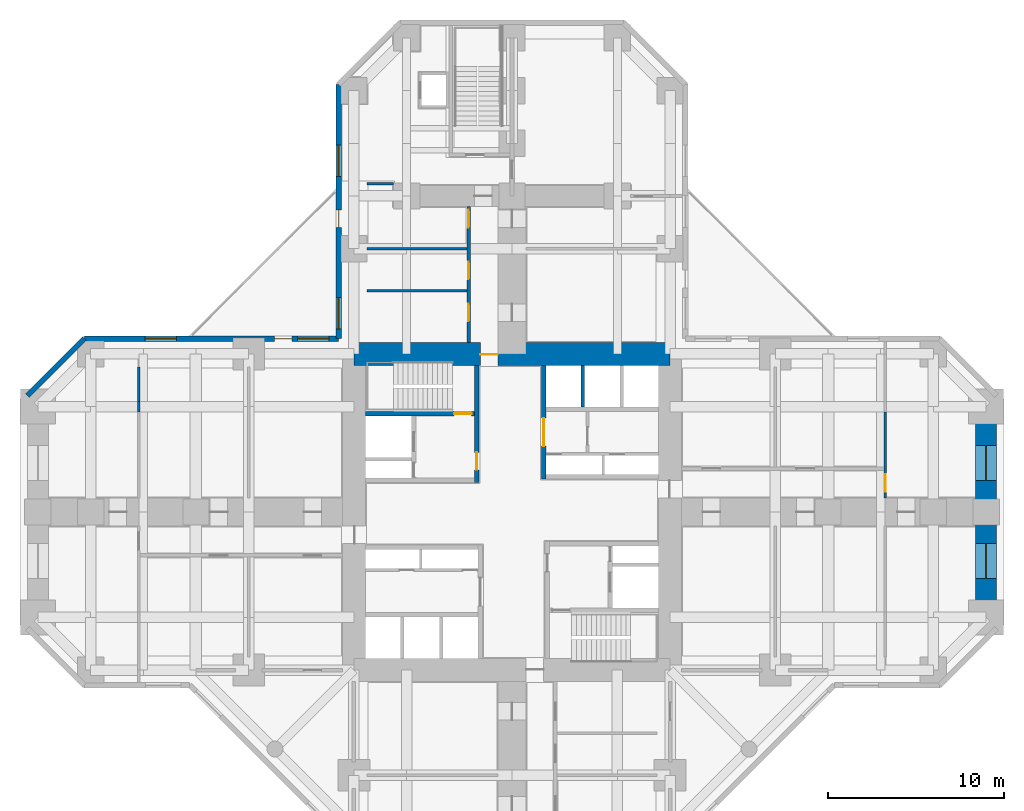
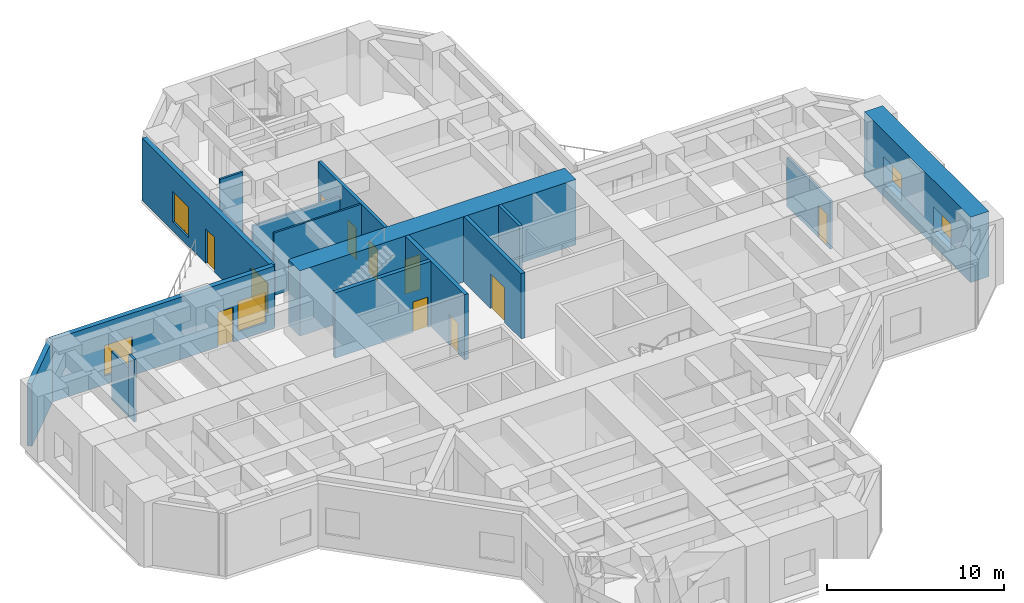
# One storey, part 6 of 10: 16 walls, 10 doors, 6 windows, 16 openings.
"""IFC4 building model written with IfcOpenShell, lengths in metres."""

from ifc_helpers import new_model, si_unit, direction, frame, frame_2d, origin, place, context, subcontext, project, spatial, rectangle, hollow_rectangle, extrude, material, layer, layer_set, constituent, constituent_set, type_object, element, fill, save


model = new_model("IFC4")

# Units and contexts
model_context = context("Model", 3, precision=1e-05, world=origin(), true_north=direction((0.0, 1.0)))
body_context = subcontext(model_context, "Body", "Model", "MODEL_VIEW")
ifc_project = project(units=[si_unit("LENGTHUNIT", "METRE"), si_unit("AREAUNIT", "SQUARE_METRE"), si_unit("VOLUMEUNIT", "CUBIC_METRE"), si_unit("PLANEANGLEUNIT", "RADIAN"), si_unit("MASSUNIT", "GRAM", prefix="KILO")], contexts=[model_context])

# Site, building, storey
site_placement = place(None, origin())
site = spatial("IfcSite", under=ifc_project, at=site_placement, CompositionType="ELEMENT")
building_placement = place(site_placement, origin())
building = spatial("IfcBuilding", under=site, at=building_placement, Name="Torre Cruceta", CompositionType="ELEMENT")
storey_placement = place(building_placement, frame((0.0, 0.0, 5.0)))
storey = spatial("IfcBuildingStorey", under=building, at=storey_placement, Name="L01", CompositionType="ELEMENT", Elevation=5.0)

# Wall, opening, door
ifc_material_1 = material(Name="Concrete G60 (fck 60 MPa)", Category="concrete")
ifc_layer_1 = layer(ifc_material_1, 0.25)
ifc_layer_set_1 = layer_set([ifc_layer_1], Name="Concrete G60 (fck 60 MPa)")
wall_type_1 = type_object("IfcWallType", Name="CORE INNER WALL 250 G60", PredefinedType="SHEAR", material=ifc_layer_set_1)
wall_1_placement = place(storey_placement, frame((1.800048828125, 1.875, 0.0), z_axis=(0.0, 0.0, 1.0), x_axis=(0.0, 1.0, 0.0)))
wall_1 = element("IfcWall", 1, at=wall_1_placement, inside=storey, type_object=wall_type_1, Name="CW4 L01 NE-CU", PredefinedType="SHEAR", context=body_context, shape_type="SweptSolid", body=[
    extrude(rectangle(XDim=6.47509765625, YDim=0.25, at=frame_2d((3.237548828125, 0.0))), origin(), (0.0, 0.0, 1.0), 4.5),
])
opening_1_placement = place(wall_1_placement, frame((1.875, 0.0, 0.0)))
opening_1 = element("IfcOpeningElement", 2, at=opening_1_placement, cuts=wall_1, Name="Opening D15", PredefinedType="OPENING", context=body_context, shape_type="SweptSolid", body=[
    extrude(rectangle(XDim=1.60009765625, YDim=2.39990234375, at=frame_2d((0.800048828125, 1.199951171875))), frame((0.0, 0.135009765625, 0.0), z_axis=(0.0, -1.0, 0.0), x_axis=(1.0, 0.0, 0.0)), (0.0, 0.0, 1.0), 0.27001953125),
])
ifc_material_2 = material(Name="Steel DX51D", Category="steel")
ifc_constituent_1 = constituent(ifc_material_2, Name="Leaf and frame")
ifc_material_3 = material(Name="Polyester powder coating", Category="paint")
ifc_constituent_2 = constituent(ifc_material_3, Name="Finish")
ifc_constituent_set_1 = constituent_set(constituents=[ifc_constituent_1, ifc_constituent_2], Name="Steel fire door")
door_type_1 = type_object("IfcDoorType", Name="CORE ROOM DOUBLE DOOR 1600X2400", OperationType="DOUBLE_DOOR_SINGLE_SWING", PredefinedType="DOOR", material=ifc_constituent_set_1)
door_1_placement = place(opening_1_placement, frame((1.60009765625, 0.0, 0.0), z_axis=(0.0, 0.0, 1.0), x_axis=(-1.0, 0.0, 0.0)))
door_1 = element("IfcDoor", 3, at=door_1_placement, inside=storey, type_object=door_type_1, Name="D15 L01 NE-LOBBY", OperationType="DOUBLE_DOOR_SINGLE_SWING", OverallHeight=2.39990234375, OverallWidth=1.60009765625, PredefinedType="DOOR", context=body_context, shape_type="SweptSolid", body=[
    extrude(rectangle(XDim=1.60009765625, YDim=2.39990234375, at=frame_2d((0.800048828125, 1.199951171875))), frame((0.0, 0.025146484375, 0.0), z_axis=(0.0, -1.0, 0.0), x_axis=(1.0, 0.0, 0.0)), (0.0, 0.0, 1.0), 0.050048828125),
])
fill(opening_1, door_1)

wall_2_placement = place(storey_placement, frame((-2.0, 1.675048828125, 0.0), z_axis=(0.0, 0.0, 1.0), x_axis=(0.0, 1.0, 0.0)))
wall_2 = element("IfcWall", 4, at=wall_2_placement, inside=storey, type_object=wall_type_1, Name="CW4 L01 NW-CU", PredefinedType="SHEAR", context=body_context, shape_type="SweptSolid", body=[
    extrude(rectangle(XDim=6.675048828125, YDim=0.25, at=frame_2d((3.33740234375, 0.0))), origin(), (0.0, 0.0, 1.0), 4.5),
])
opening_2_placement = place(wall_2_placement, frame((0.72509765625, 0.0, 0.0)))
opening_2 = element("IfcOpeningElement", 5, at=opening_2_placement, cuts=wall_2, Name="Opening D3", PredefinedType="OPENING", context=body_context, shape_type="SweptSolid", body=[
    extrude(rectangle(XDim=1.0, YDim=2.10009765625, at=frame_2d((0.5, 1.050048828125))), frame((0.0, 0.135009765625, 0.0), z_axis=(0.0, -1.0, 0.0), x_axis=(1.0, 0.0, 0.0)), (0.0, 0.0, 1.0), 0.27001953125),
])
ifc_material_4 = material(Name="Steel DX51D", Category="steel")
ifc_constituent_3 = constituent(ifc_material_4, Name="Leaf and frame")
ifc_material_5 = material(Name="Polyester powder coating", Category="paint")
ifc_constituent_4 = constituent(ifc_material_5, Name="Finish")
ifc_constituent_set_2 = constituent_set(constituents=[ifc_constituent_3, ifc_constituent_4], Name="Steel fire door")
door_type_2 = type_object("IfcDoorType", Name="FIRE DOOR 1000X2100", OperationType="SINGLE_SWING_LEFT", PredefinedType="DOOR", material=ifc_constituent_set_2)
door_2_placement = place(opening_2_placement, origin())
door_2 = element("IfcDoor", 6, at=door_2_placement, inside=storey, type_object=door_type_2, Name="D3 L01 NW-LOBBY", OperationType="SINGLE_SWING_LEFT", OverallHeight=2.10009765625, OverallWidth=1.0, PredefinedType="DOOR", context=body_context, shape_type="SweptSolid", body=[
    extrude(rectangle(XDim=1.0, YDim=2.10009765625, at=frame_2d((0.5, 1.050048828125))), frame((0.0, 0.02490234375, 0.0), z_axis=(0.0, -1.0, 0.0), x_axis=(1.0, 0.0, 0.0)), (0.0, 0.0, 1.0), 0.050048828125),
])
fill(opening_2, door_2)

wall_3_placement = place(storey_placement, frame((-2.125, 5.60009765625, 0.0), z_axis=(0.0, 0.0, 1.0), x_axis=(-1.0, 0.0, 0.0)))
wall_3 = element("IfcWall", 7, at=wall_3_placement, inside=storey, type_object=wall_type_1, Name="CW4 L01 NW-SV", PredefinedType="SHEAR", context=body_context, shape_type="SweptSolid", body=[
    extrude(rectangle(XDim=6.22509765625, YDim=0.25, at=frame_2d((3.112548828125, 0.0))), origin(), (0.0, 0.0, 1.0), 4.5),
])
opening_3_placement = place(wall_3_placement, frame((0.175048828125, 0.0, 0.0)))
opening_3 = element("IfcOpeningElement", 8, at=opening_3_placement, cuts=wall_3, Name="Opening D3", PredefinedType="OPENING", context=body_context, shape_type="SweptSolid", body=[
    extrude(rectangle(XDim=1.0, YDim=2.10009765625, at=frame_2d((0.5, 1.050048828125))), frame((0.0, 0.135009765625, 0.0), z_axis=(0.0, -1.0, 0.0), x_axis=(1.0, 0.0, 0.0)), (0.0, 0.0, 1.0), 0.27001953125),
])
door_3_placement = place(opening_3_placement, frame((1.0, 0.0, 0.0), z_axis=(0.0, 0.0, 1.0), x_axis=(-1.0, 0.0, 0.0)))
door_3 = element("IfcDoor", 9, at=door_3_placement, inside=storey, type_object=door_type_2, Name="D3 L01 NW-STAIR", OperationType="SINGLE_SWING_RIGHT", OverallHeight=2.10009765625, OverallWidth=1.0, PredefinedType="DOOR", context=body_context, shape_type="SweptSolid", body=[
    extrude(rectangle(XDim=1.0, YDim=2.10009765625, at=frame_2d((0.5, 1.050048828125))), frame((0.0, 0.025146484375, 0.0), z_axis=(0.0, -1.0, 0.0), x_axis=(1.0, 0.0, 0.0)), (0.0, 0.0, 1.0), 0.050048828125),
])
fill(opening_3, door_3)

ifc_material_6 = material(Name="Concrete G60 (fck 60 MPa)", Category="concrete")
ifc_layer_2 = layer(ifc_material_6, 1.300048828125)
ifc_layer_set_2 = layer_set([ifc_layer_2], Name="Concrete G60 (fck 60 MPa)")
wall_type_2 = type_object("IfcWallType", Name="CORE WALL 1300 G60", PredefinedType="SHEAR", material=ifc_layer_set_2)
wall_4_placement = place(storey_placement, frame((9.0, 9.0, 0.0), z_axis=(0.0, 0.0, 1.0), x_axis=(-1.0, 0.0, 0.0)))
wall_4 = element("IfcWall", 10, at=wall_4_placement, inside=storey, type_object=wall_type_2, Name="CW1 L01 CW-N", PredefinedType="SHEAR", context=body_context, shape_type="SweptSolid", body=[
    extrude(rectangle(XDim=18.0, YDim=1.300048828125, at=frame_2d((9.0, 0.0))), origin(), (0.0, 0.0, 1.0), 4.5),
])
opening_4_placement = place(wall_4_placement, frame((9.800048828125, 0.0, 0.0)))
opening_4 = element("IfcOpeningElement", 11, at=opening_4_placement, cuts=wall_4, Name="Opening D4", PredefinedType="OPENING", context=body_context, shape_type="SweptSolid", body=[
    extrude(rectangle(XDim=1.0, YDim=2.39990234375, at=frame_2d((0.5, 1.199951171875))), frame((0.0, 0.659912109375, 0.0), z_axis=(0.0, -1.0, 0.0), x_axis=(1.0, 0.0, 0.0)), (0.0, 0.0, 1.0), 1.320068359375),
])
ifc_material_7 = material(Name="Steel DX51D", Category="steel")
ifc_constituent_5 = constituent(ifc_material_7, Name="Leaf and frame")
ifc_material_8 = material(Name="Polyester powder coating", Category="paint")
ifc_constituent_6 = constituent(ifc_material_8, Name="Finish")
ifc_constituent_set_3 = constituent_set(constituents=[ifc_constituent_5, ifc_constituent_6], Name="Steel fire door")
door_type_3 = type_object("IfcDoorType", Name="CORE ARM DOOR 1000X2400", OperationType="SINGLE_SWING_RIGHT", PredefinedType="DOOR", material=ifc_constituent_set_3)
door_4_placement = place(opening_4_placement, origin())
door_4 = element("IfcDoor", 12, at=door_4_placement, inside=storey, type_object=door_type_3, Name="D4 L01 CW-N", OperationType="SINGLE_SWING_RIGHT", OverallHeight=2.39990234375, OverallWidth=1.0, PredefinedType="DOOR", context=body_context, shape_type="SweptSolid", body=[
    extrude(rectangle(XDim=1.0, YDim=2.39990234375, at=frame_2d((0.5, 1.199951171875))), frame((0.0, 0.05517578125, 0.0), z_axis=(0.0, -1.0, 0.0), x_axis=(1.0, 0.0, 0.0)), (0.0, 0.0, 1.0), 0.050048828125),
])
fill(opening_4, door_4)

# Wall, openings, doors
ifc_material_9 = material(Name="Concrete G25 (fck 25 MPa)", Category="concrete")
ifc_layer_3 = layer(ifc_material_9, 0.199951171875)
ifc_layer_set_3 = layer_set([ifc_layer_3], Name="Concrete G25 (fck 25 MPa)")
wall_type_3 = type_object("IfcWallType", Name="CORRIDOR WALL 200", PredefinedType="SOLIDWALL", material=ifc_layer_set_3)
wall_5_placement = place(storey_placement, frame((-2.47509765625, 9.64990234375, 0.0), z_axis=(0.0, 0.0, 1.0), x_axis=(0.0, 1.0, 0.0)))
wall_5 = element("IfcWall", 13, at=wall_5_placement, inside=storey, type_object=wall_type_3, Name="PT3 L01-N-CL", PredefinedType="SOLIDWALL", context=body_context, shape_type="SweptSolid", body=[
    extrude(rectangle(XDim=7.75, YDim=0.199951171875, at=frame_2d((3.875, 0.0))), origin(), (0.0, 0.0, 1.0), 4.300048828125),
])
opening_5_placement = place(wall_5_placement, frame((1.199951171875, 0.0, 0.0)))
opening_5 = element("IfcOpeningElement", 14, at=opening_5_placement, cuts=wall_5, Name="Opening D14", PredefinedType="OPENING", context=body_context, shape_type="SweptSolid", body=[
    extrude(rectangle(XDim=1.0, YDim=2.199951171875, at=frame_2d((0.5, 1.10009765625))), frame((0.0, 0.10986328125, 0.0), z_axis=(0.0, -1.0, 0.0), x_axis=(1.0, 0.0, 0.0)), (0.0, 0.0, 1.0), 0.219970703125),
])
opening_6_placement = place(wall_5_placement, frame((3.60009765625, 0.0, 0.0)))
opening_6 = element("IfcOpeningElement", 15, at=opening_6_placement, cuts=wall_5, Name="Opening D14", PredefinedType="OPENING", context=body_context, shape_type="SweptSolid", body=[
    extrude(rectangle(XDim=1.0, YDim=2.199951171875, at=frame_2d((0.5, 1.10009765625))), frame((0.0, 0.10986328125, 0.0), z_axis=(0.0, -1.0, 0.0), x_axis=(1.0, 0.0, 0.0)), (0.0, 0.0, 1.0), 0.219970703125),
])
opening_7_placement = place(wall_5_placement, frame((6.550048828125, 0.0, 0.0)))
opening_7 = element("IfcOpeningElement", 16, at=opening_7_placement, cuts=wall_5, Name="Opening D14", PredefinedType="OPENING", context=body_context, shape_type="SweptSolid", body=[
    extrude(rectangle(XDim=1.0, YDim=2.199951171875, at=frame_2d((0.5, 1.10009765625))), frame((0.0, 0.10986328125, 0.0), z_axis=(0.0, -1.0, 0.0), x_axis=(1.0, 0.0, 0.0)), (0.0, 0.0, 1.0), 0.219970703125),
])
ifc_material_10 = material(Name="Steel DX51D", Category="steel")
ifc_constituent_7 = constituent(ifc_material_10, Name="Leaf and frame")
ifc_material_11 = material(Name="Polyester powder coating", Category="paint")
ifc_constituent_8 = constituent(ifc_material_11, Name="Finish")
ifc_material_12 = material(Name="Fire-resisting glass", Category="glass")
ifc_constituent_9 = constituent(ifc_material_12, Name="Vision panel")
ifc_constituent_set_4 = constituent_set(constituents=[ifc_constituent_7, ifc_constituent_8, ifc_constituent_9], Name="Steel fire door with vision panel")
door_type_4 = type_object("IfcDoorType", Name="FIRE DOOR VISION PANEL 1000X2200", OperationType="SINGLE_SWING_RIGHT", PredefinedType="DOOR", material=ifc_constituent_set_4)
door_5_placement = place(opening_5_placement, origin())
door_5 = element("IfcDoor", 17, at=door_5_placement, inside=storey, type_object=door_type_4, Name="D14 L01-N-CL-D1", OperationType="SINGLE_SWING_RIGHT", OverallHeight=2.199951171875, OverallWidth=1.0, PredefinedType="DOOR", context=body_context, shape_type="SweptSolid", body=[
    extrude(rectangle(XDim=1.0, YDim=2.199951171875, at=frame_2d((0.5, 1.10009765625))), frame((0.0, 0.02490234375, 0.0), z_axis=(0.0, -1.0, 0.0), x_axis=(1.0, 0.0, 0.0)), (0.0, 0.0, 1.0), 0.050048828125),
])
fill(opening_5, door_5)
door_6_placement = place(opening_6_placement, origin())
door_6 = element("IfcDoor", 18, at=door_6_placement, inside=storey, type_object=door_type_4, Name="D14 L01-N-CL-D2", OperationType="SINGLE_SWING_LEFT", OverallHeight=2.199951171875, OverallWidth=1.0, PredefinedType="DOOR", context=body_context, shape_type="SweptSolid", body=[
    extrude(rectangle(XDim=1.0, YDim=2.199951171875, at=frame_2d((0.5, 1.10009765625))), frame((0.0, 0.02490234375, 0.0), z_axis=(0.0, -1.0, 0.0), x_axis=(1.0, 0.0, 0.0)), (0.0, 0.0, 1.0), 0.050048828125),
])
fill(opening_6, door_6)
door_7_placement = place(opening_7_placement, origin())
door_7 = element("IfcDoor", 19, at=door_7_placement, inside=storey, type_object=door_type_4, Name="D14 L01-N-CL-D3", OperationType="SINGLE_SWING_RIGHT", OverallHeight=2.199951171875, OverallWidth=1.0, PredefinedType="DOOR", context=body_context, shape_type="SweptSolid", body=[
    extrude(rectangle(XDim=1.0, YDim=2.199951171875, at=frame_2d((0.5, 1.10009765625))), frame((0.0, 0.02490234375, 0.0), z_axis=(0.0, -1.0, 0.0), x_axis=(1.0, 0.0, 0.0)), (0.0, 0.0, 1.0), 0.050048828125),
])
fill(opening_7, door_7)

# Wall, openings, door, windows
ifc_material_13 = material(Name="Concrete G30 (fck 30 MPa)", Category="concrete")
ifc_layer_4 = layer(ifc_material_13, 0.300048828125)
ifc_layer_set_4 = layer_set([ifc_layer_4], Name="Concrete G30 (fck 30 MPa)")
wall_type_4 = type_object("IfcWallType", Name="EXPOSED CONCRETE FACADE WALL 300", PredefinedType="SOLIDWALL", material=ifc_layer_set_4)
wall_6_placement = place(storey_placement, frame((-9.8701171875, 24.3603515625, 0.0), z_axis=(0.0, 0.0, 1.0), x_axis=(0.0, -1.0, 0.0)))
wall_6 = element("IfcWall", 20, at=wall_6_placement, inside=storey, type_object=wall_type_4, Name="EW1 facade wall L01 N side 09", PredefinedType="SOLIDWALL", context=body_context, shape_type="SweptSolid", body=[
    extrude(rectangle(XDim=14.490234375, YDim=0.300048828125, at=frame_2d((7.2451171875, 0.0))), origin(), (0.0, 0.0, 1.0), 4.300048828125),
])
opening_8_placement = place(wall_6_placement, frame((7.14990234375, 0.0, 0.0)))
opening_8 = element("IfcOpeningElement", 21, at=opening_8_placement, cuts=wall_6, Name="Opening D11", PredefinedType="OPENING", context=body_context, shape_type="SweptSolid", body=[
    extrude(rectangle(XDim=1.0, YDim=2.39990234375, at=frame_2d((0.5, 1.199951171875))), frame((0.0, 0.159912109375, 0.0), z_axis=(0.0, -1.0, 0.0), x_axis=(1.0, 0.0, 0.0)), (0.0, 0.0, 1.0), 0.320068359375),
])
opening_9_placement = place(wall_6_placement, frame((3.447021484375, 0.0, 0.60009765625)))
opening_9 = element("IfcOpeningElement", 22, at=opening_9_placement, cuts=wall_6, Name="Opening WN4", PredefinedType="OPENING", context=body_context, shape_type="SweptSolid", body=[
    extrude(rectangle(XDim=1.800048828125, YDim=2.10009765625, at=frame_2d((0.89990234375, 1.050048828125))), frame((0.0, 0.159912109375, 0.0), z_axis=(0.0, -1.0, 0.0), x_axis=(1.0, 0.0, 0.0)), (0.0, 0.0, 1.0), 0.320068359375),
])
opening_10_placement = place(wall_6_placement, frame((12.141357421875, 0.0, 0.60009765625)))
opening_10 = element("IfcOpeningElement", 23, at=opening_10_placement, cuts=wall_6, Name="Opening WN4", PredefinedType="OPENING", context=body_context, shape_type="SweptSolid", body=[
    extrude(rectangle(XDim=1.800048828125, YDim=2.10009765625, at=frame_2d((0.89990234375, 1.050048828125))), frame((0.0, 0.159912109375, 0.0), z_axis=(0.0, -1.0, 0.0), x_axis=(1.0, 0.0, 0.0)), (0.0, 0.0, 1.0), 0.320068359375),
])
ifc_material_14 = material(Name="Aluminium door frame", Category="aluminium")
ifc_constituent_10 = constituent(ifc_material_14, Name="Frame")
ifc_material_15 = material(Name="Laminated safety glass", Category="glass")
ifc_constituent_11 = constituent(ifc_material_15, Name="Glazing")
ifc_constituent_set_5 = constituent_set(constituents=[ifc_constituent_10, ifc_constituent_11], Name="Aluminium glazed door")
door_type_5 = type_object("IfcDoorType", Name="TERRACE DOOR 1000X2400", OperationType="SINGLE_SWING_LEFT", PredefinedType="DOOR", material=ifc_constituent_set_5)
door_8_placement = place(opening_8_placement, origin())
door_8 = element("IfcDoor", 24, at=door_8_placement, inside=storey, type_object=door_type_5, Name="D11 terrace door L01 N", OperationType="SINGLE_SWING_RIGHT", OverallHeight=2.39990234375, OverallWidth=1.0, PredefinedType="DOOR", context=body_context, shape_type="SweptSolid", body=[
    extrude(hollow_rectangle(XDim=1.0, YDim=2.39990234375, WallThickness=0.06005859375, at=frame_2d((0.5, 1.199951171875))), frame((0.0, 0.02490234375, 0.0), z_axis=(0.0, -1.0, 0.0), x_axis=(1.0, 0.0, 0.0)), (0.0, 0.0, 1.0), 0.050048828125),
    extrude(rectangle(XDim=0.87890625, YDim=2.27880859375, at=frame_2d((0.5, 1.199951171875))), frame((0.0, 0.02490234375, 0.0), z_axis=(0.0, -1.0, 0.0), x_axis=(1.0, 0.0, 0.0)), (0.0, 0.0, 1.0), 0.050048828125),
])
fill(opening_8, door_8)
ifc_material_16 = material(Name="Aluminium window frame", Category="aluminium")
ifc_constituent_12 = constituent(ifc_material_16, Name="Frame")
ifc_material_17 = material(Name="Laminated insulating glass unit, low-iron clear", Category="glass")
ifc_constituent_13 = constituent(ifc_material_17, Name="Glazing")
ifc_constituent_set_6 = constituent_set(constituents=[ifc_constituent_12, ifc_constituent_13], Name="Aluminium window")
window_type_1 = type_object("IfcWindowType", Name="TERRACE FRONT WINDOW 1800X2100", PartitioningType="SINGLE_PANEL", PredefinedType="WINDOW", material=ifc_constituent_set_6)
window_1_placement = place(opening_9_placement, origin())
window_1 = element("IfcWindow", 25, at=window_1_placement, inside=storey, type_object=window_type_1, Name="WN4 L01 N 2", OverallHeight=2.10009765625, OverallWidth=1.800048828125, PartitioningType="SINGLE_PANEL", PredefinedType="WINDOW", context=body_context, shape_type="SweptSolid", body=[
    extrude(hollow_rectangle(XDim=1.800048828125, YDim=2.10009765625, WallThickness=0.06005859375, at=frame_2d((0.89990234375, 1.050048828125))), frame((0.0, 0.030029296875, 0.0), z_axis=(0.0, -1.0, 0.0), x_axis=(1.0, 0.0, 0.0)), (0.0, 0.0, 1.0), 0.06005859375),
    extrude(rectangle(XDim=1.678955078125, YDim=1.97900390625, at=frame_2d((0.89990234375, 1.050048828125))), frame((0.0, 0.030029296875, 0.0), z_axis=(0.0, -1.0, 0.0), x_axis=(1.0, 0.0, 0.0)), (0.0, 0.0, 1.0), 0.06005859375),
])
fill(opening_9, window_1)
window_2_placement = place(opening_10_placement, origin())
window_2 = element("IfcWindow", 26, at=window_2_placement, inside=storey, type_object=window_type_1, Name="WN4 L01 N 5", OverallHeight=2.10009765625, OverallWidth=1.800048828125, PartitioningType="SINGLE_PANEL", PredefinedType="WINDOW", context=body_context, shape_type="SweptSolid", body=[
    extrude(hollow_rectangle(XDim=1.800048828125, YDim=2.10009765625, WallThickness=0.06005859375, at=frame_2d((0.89990234375, 1.050048828125))), frame((0.0, 0.030029296875, 0.0), z_axis=(0.0, -1.0, 0.0), x_axis=(1.0, 0.0, 0.0)), (0.0, 0.0, 1.0), 0.06005859375),
    extrude(rectangle(XDim=1.678955078125, YDim=1.97900390625, at=frame_2d((0.89990234375, 1.050048828125))), frame((0.0, 0.030029296875, 0.0), z_axis=(0.0, -1.0, 0.0), x_axis=(1.0, 0.0, 0.0)), (0.0, 0.0, 1.0), 0.06005859375),
])
fill(opening_10, window_2)

wall_7_placement = place(storey_placement, frame((-9.8701171875, 9.8701171875, 0.0), z_axis=(0.0, 0.0, 1.0), x_axis=(-1.0, 0.0, 0.0)))
wall_7 = element("IfcWall", 27, at=wall_7_placement, inside=storey, type_object=wall_type_4, Name="EW1 facade wall L01 W side 10", PredefinedType="SOLIDWALL", context=body_context, shape_type="SweptSolid", body=[
    extrude(rectangle(XDim=14.490234375, YDim=0.300048828125, at=frame_2d((7.2451171875, 0.0))), origin(), (0.0, 0.0, 1.0), 4.300048828125),
])
opening_11_placement = place(wall_7_placement, frame((2.64990234375, 0.0, 0.0)))
opening_11 = element("IfcOpeningElement", 28, at=opening_11_placement, cuts=wall_7, Name="Opening D11", PredefinedType="OPENING", context=body_context, shape_type="SweptSolid", body=[
    extrude(rectangle(XDim=1.0, YDim=2.39990234375, at=frame_2d((0.5, 1.199951171875))), frame((0.0, 0.159912109375, 0.0), z_axis=(0.0, -1.0, 0.0), x_axis=(1.0, 0.0, 0.0)), (0.0, 0.0, 1.0), 0.320068359375),
])
opening_12_placement = place(wall_7_placement, frame((0.549072265625, 0.0, 0.60009765625)))
opening_12 = element("IfcOpeningElement", 29, at=opening_12_placement, cuts=wall_7, Name="Opening WN4", PredefinedType="OPENING", context=body_context, shape_type="SweptSolid", body=[
    extrude(rectangle(XDim=1.800048828125, YDim=2.10009765625, at=frame_2d((0.89990234375, 1.050048828125))), frame((0.0, 0.159912109375, 0.0), z_axis=(0.0, -1.0, 0.0), x_axis=(1.0, 0.0, 0.0)), (0.0, 0.0, 1.0), 0.320068359375),
])
opening_13_placement = place(wall_7_placement, frame((9.2431640625, 0.0, 0.60009765625)))
opening_13 = element("IfcOpeningElement", 30, at=opening_13_placement, cuts=wall_7, Name="Opening WN4", PredefinedType="OPENING", context=body_context, shape_type="SweptSolid", body=[
    extrude(rectangle(XDim=1.800048828125, YDim=2.10009765625, at=frame_2d((0.89990234375, 1.050048828125))), frame((0.0, 0.159912109375, 0.0), z_axis=(0.0, -1.0, 0.0), x_axis=(1.0, 0.0, 0.0)), (0.0, 0.0, 1.0), 0.320068359375),
])
door_9_placement = place(opening_11_placement, origin())
door_9 = element("IfcDoor", 31, at=door_9_placement, inside=storey, type_object=door_type_5, Name="D11 terrace door L01 W", OperationType="SINGLE_SWING_LEFT", OverallHeight=2.39990234375, OverallWidth=1.0, PredefinedType="DOOR", context=body_context, shape_type="SweptSolid", body=[
    extrude(hollow_rectangle(XDim=1.0, YDim=2.39990234375, WallThickness=0.06005859375, at=frame_2d((0.5, 1.199951171875))), frame((0.0, 0.02490234375, 0.0), z_axis=(0.0, -1.0, 0.0), x_axis=(1.0, 0.0, 0.0)), (0.0, 0.0, 1.0), 0.050048828125),
    extrude(rectangle(XDim=0.87890625, YDim=2.27880859375, at=frame_2d((0.5, 1.199951171875))), frame((0.0, 0.02490234375, 0.0), z_axis=(0.0, -1.0, 0.0), x_axis=(1.0, 0.0, 0.0)), (0.0, 0.0, 1.0), 0.050048828125),
])
fill(opening_11, door_9)
window_3_placement = place(opening_12_placement, origin())
window_3 = element("IfcWindow", 32, at=window_3_placement, inside=storey, type_object=window_type_1, Name="WN4 L01 W 1", OverallHeight=2.10009765625, OverallWidth=1.800048828125, PartitioningType="SINGLE_PANEL", PredefinedType="WINDOW", context=body_context, shape_type="SweptSolid", body=[
    extrude(hollow_rectangle(XDim=1.800048828125, YDim=2.10009765625, WallThickness=0.06005859375, at=frame_2d((0.89990234375, 1.050048828125))), frame((0.0, 0.030029296875, 0.0), z_axis=(0.0, -1.0, 0.0), x_axis=(1.0, 0.0, 0.0)), (0.0, 0.0, 1.0), 0.06005859375),
    extrude(rectangle(XDim=1.678955078125, YDim=1.97900390625, at=frame_2d((0.89990234375, 1.050048828125))), frame((0.0, 0.030029296875, 0.0), z_axis=(0.0, -1.0, 0.0), x_axis=(1.0, 0.0, 0.0)), (0.0, 0.0, 1.0), 0.06005859375),
])
fill(opening_12, window_3)
window_4_placement = place(opening_13_placement, origin())
window_4 = element("IfcWindow", 33, at=window_4_placement, inside=storey, type_object=window_type_1, Name="WN4 L01 W 4", OverallHeight=2.10009765625, OverallWidth=1.800048828125, PartitioningType="SINGLE_PANEL", PredefinedType="WINDOW", context=body_context, shape_type="SweptSolid", body=[
    extrude(hollow_rectangle(XDim=1.800048828125, YDim=2.10009765625, WallThickness=0.06005859375, at=frame_2d((0.89990234375, 1.050048828125))), frame((0.0, 0.030029296875, 0.0), z_axis=(0.0, -1.0, 0.0), x_axis=(1.0, 0.0, 0.0)), (0.0, 0.0, 1.0), 0.06005859375),
    extrude(rectangle(XDim=1.678955078125, YDim=1.97900390625, at=frame_2d((0.89990234375, 1.050048828125))), frame((0.0, 0.030029296875, 0.0), z_axis=(0.0, -1.0, 0.0), x_axis=(1.0, 0.0, 0.0)), (0.0, 0.0, 1.0), 0.06005859375),
])
fill(opening_13, window_4)

# Walls
wall_8_placement = place(storey_placement, frame((-24.3603515625, 9.8701171875, 0.0), z_axis=(0.0, 0.0, 1.0), x_axis=(-0.707106781187, -0.707106781187, 0.0)))
element("IfcWall", 34, at=wall_8_placement, inside=storey, type_object=wall_type_4, Name="EW1 facade wall L01 W chamfer 11", PredefinedType="SOLIDWALL", context=body_context, shape_type="SweptSolid", body=[
    extrude(rectangle(XDim=4.581787109375, YDim=0.300048828125, at=frame_2d((2.291015625, 0.0))), origin(), (0.0, 0.0, 1.0), 4.300048828125),
])
ifc_material_18 = material(Name="Concrete G35 (fck 35 MPa)", Category="concrete")
ifc_layer_5 = layer(ifc_material_18, 0.199951171875)
ifc_layer_set_5 = layer_set([ifc_layer_5], Name="Concrete G35 (fck 35 MPa)")
wall_type_5 = type_object("IfcWallType", Name="LIFT SHAFT WALL 200", PredefinedType="PARTITIONING", material=ifc_layer_set_5)
wall_9_placement = place(storey_placement, frame((4.033447265625, 5.97509765625, 0.0), z_axis=(0.0, 0.0, 1.0), x_axis=(0.0, 1.0, 0.0)))
element("IfcWall", 35, at=wall_9_placement, inside=storey, type_object=wall_type_5, Name="SW1 L01 NE-LS1", PredefinedType="PARTITIONING", context=body_context, shape_type="SweptSolid", body=[
    extrude(rectangle(XDim=2.375, YDim=0.199951171875, at=frame_2d((1.1875, 0.0))), origin(), (0.0, 0.0, 1.0), 4.5),
])

# Wall, openings, windows
ifc_material_19 = material(Name="Concrete G60 (fck 60 MPa)", Category="concrete")
ifc_layer_6 = layer(ifc_material_19, 1.199951171875)
ifc_layer_set_6 = layer_set([ifc_layer_6], Name="Concrete G60 (fck 60 MPa)")
wall_type_6 = type_object("IfcWallType", Name="NOSE WALL 1200 G60", PredefinedType="SHEAR", material=ifc_layer_set_6)
wall_10_placement = place(storey_placement, frame((27.0, -6.0, 0.0), z_axis=(0.0, 0.0, 1.0), x_axis=(0.0, 1.0, 0.0)))
wall_10 = element("IfcWall", 36, at=wall_10_placement, inside=storey, type_object=wall_type_6, Name="NW1 nose wall L01 E", PredefinedType="SHEAR", context=body_context, shape_type="SweptSolid", body=[
    extrude(rectangle(XDim=12.0, YDim=1.199951171875, at=frame_2d((6.0, 0.0))), origin(), (0.0, 0.0, 1.0), 4.5),
])
opening_14_placement = place(wall_10_placement, frame((2.199951171875, 0.0, 0.89990234375)))
opening_14 = element("IfcOpeningElement", 37, at=opening_14_placement, cuts=wall_10, Name="Opening WN1", PredefinedType="OPENING", context=body_context, shape_type="SweptSolid", body=[
    extrude(rectangle(XDim=2.0, YDim=1.800048828125, at=frame_2d((1.0, 0.89990234375))), frame((0.0, 0.60986328125, 0.0), z_axis=(0.0, -1.0, 0.0), x_axis=(1.0, 0.0, 0.0)), (0.0, 0.0, 1.0), 1.219970703125),
])
opening_15_placement = place(wall_10_placement, frame((7.800048828125, 0.0, 0.89990234375)))
opening_15 = element("IfcOpeningElement", 38, at=opening_15_placement, cuts=wall_10, Name="Opening WN1", PredefinedType="OPENING", context=body_context, shape_type="SweptSolid", body=[
    extrude(rectangle(XDim=2.0, YDim=1.800048828125, at=frame_2d((1.0, 0.89990234375))), frame((0.0, 0.60986328125, 0.0), z_axis=(0.0, -1.0, 0.0), x_axis=(1.0, 0.0, 0.0)), (0.0, 0.0, 1.0), 1.219970703125),
])
ifc_material_20 = material(Name="Aluminium window frame", Category="aluminium")
ifc_constituent_14 = constituent(ifc_material_20, Name="Frame")
ifc_material_21 = material(Name="Laminated insulating glass unit, low-iron clear", Category="glass")
ifc_constituent_15 = constituent(ifc_material_21, Name="Glazing")
ifc_constituent_set_7 = constituent_set(constituents=[ifc_constituent_14, ifc_constituent_15], Name="Aluminium window")
window_type_2 = type_object("IfcWindowType", Name="SCHOOL WINDOW 2000X1800", PartitioningType="SINGLE_PANEL", PredefinedType="WINDOW", material=ifc_constituent_set_7)
window_5_placement = place(opening_14_placement, origin())
window_5 = element("IfcWindow", 39, at=window_5_placement, inside=storey, type_object=window_type_2, Name="WN1 L01 E 1", OverallHeight=1.800048828125, OverallWidth=2.0, PartitioningType="SINGLE_PANEL", PredefinedType="WINDOW", context=body_context, shape_type="SweptSolid", body=[
    extrude(hollow_rectangle(XDim=2.0, YDim=1.800048828125, WallThickness=0.06005859375, at=frame_2d((1.0, 0.89990234375))), frame((0.0, 0.030029296875, 0.0), z_axis=(0.0, -1.0, 0.0), x_axis=(1.0, 0.0, 0.0)), (0.0, 0.0, 1.0), 0.06005859375),
    extrude(rectangle(XDim=1.87890625, YDim=1.678955078125, at=frame_2d((1.0, 0.89990234375))), frame((0.0, 0.030029296875, 0.0), z_axis=(0.0, -1.0, 0.0), x_axis=(1.0, 0.0, 0.0)), (0.0, 0.0, 1.0), 0.06005859375),
])
fill(opening_14, window_5)
window_6_placement = place(opening_15_placement, origin())
window_6 = element("IfcWindow", 40, at=window_6_placement, inside=storey, type_object=window_type_2, Name="WN1 L01 E 2", OverallHeight=1.800048828125, OverallWidth=2.0, PartitioningType="SINGLE_PANEL", PredefinedType="WINDOW", context=body_context, shape_type="SweptSolid", body=[
    extrude(hollow_rectangle(XDim=2.0, YDim=1.800048828125, WallThickness=0.06005859375, at=frame_2d((1.0, 0.89990234375))), frame((0.0, 0.030029296875, 0.0), z_axis=(0.0, -1.0, 0.0), x_axis=(1.0, 0.0, 0.0)), (0.0, 0.0, 1.0), 0.06005859375),
    extrude(rectangle(XDim=1.87890625, YDim=1.678955078125, at=frame_2d((1.0, 0.89990234375))), frame((0.0, 0.030029296875, 0.0), z_axis=(0.0, -1.0, 0.0), x_axis=(1.0, 0.0, 0.0)), (0.0, 0.0, 1.0), 0.06005859375),
])
fill(opening_15, window_6)

# Walls
ifc_material_22 = material(Name="Plasterboard on steel studs", Category="steel")
ifc_layer_7 = layer(ifc_material_22, 0.14990234375)
ifc_layer_set_7 = layer_set([ifc_layer_7], Name="Plasterboard on steel studs")
wall_type_7 = type_object("IfcWallType", Name="PARTITION 150", PredefinedType="PARTITIONING", material=ifc_layer_set_7)
wall_11_placement = place(storey_placement, frame((-2.574951171875, 15.0, 0.0), z_axis=(0.0, 0.0, 1.0), x_axis=(-1.0, 0.0, 0.0)))
element("IfcWall", 41, at=wall_11_placement, inside=storey, type_object=wall_type_7, Name="PT1 L01-N-P1L", PredefinedType="PARTITIONING", context=body_context, shape_type="SweptSolid", body=[
    extrude(rectangle(XDim=5.675048828125, YDim=0.14990234375, at=frame_2d((2.83740234375, 0.0))), origin(), (0.0, 0.0, 1.0), 3.35009765625),
])
wall_12_placement = place(storey_placement, frame((-6.75, 18.699951171875, 0.0), z_axis=(0.0, 0.0, 1.0), x_axis=(-1.0, 0.0, 0.0)))
element("IfcWall", 42, at=wall_12_placement, inside=storey, type_object=wall_type_7, Name="PT1 L01-N-SB3", PredefinedType="PARTITIONING", context=body_context, shape_type="SweptSolid", body=[
    extrude(rectangle(XDim=1.5, YDim=0.14990234375, at=frame_2d((0.75, 0.0))), origin(), (0.0, 0.0, 1.0), 4.300048828125),
])

# Wall, opening, door
wall_13_placement = place(storey_placement, frame((21.25, 0.800048828125, 0.0), z_axis=(0.0, 0.0, 1.0), x_axis=(0.0, 1.0, 0.0)))
wall_13 = element("IfcWall", 43, at=wall_13_placement, inside=storey, type_object=wall_type_7, Name="PT1 L01-E-ENDb", PredefinedType="PARTITIONING", context=body_context, shape_type="SweptSolid", body=[
    extrude(rectangle(XDim=4.89990234375, YDim=0.14990234375, at=frame_2d((2.449951171875, 0.0))), origin(), (0.0, 0.0, 1.0), 3.35009765625),
])
opening_16_placement = place(wall_13_placement, frame((0.35009765625, 0.0, 0.0)))
opening_16 = element("IfcOpeningElement", 44, at=opening_16_placement, cuts=wall_13, Name="Opening D14", PredefinedType="OPENING", context=body_context, shape_type="SweptSolid", body=[
    extrude(rectangle(XDim=1.0, YDim=2.199951171875, at=frame_2d((0.5, 1.10009765625))), frame((0.0, 0.0849609375, 0.0), z_axis=(0.0, -1.0, 0.0), x_axis=(1.0, 0.0, 0.0)), (0.0, 0.0, 1.0), 0.169921875),
])
door_10_placement = place(opening_16_placement, frame((1.0, 0.0, 0.0), z_axis=(0.0, 0.0, 1.0), x_axis=(-1.0, 0.0, 0.0)))
door_10 = element("IfcDoor", 45, at=door_10_placement, inside=storey, type_object=door_type_4, Name="D14 L01-E-ENDb-D1", OperationType="SINGLE_SWING_LEFT", OverallHeight=2.199951171875, OverallWidth=1.0, PredefinedType="DOOR", context=body_context, shape_type="SweptSolid", body=[
    extrude(rectangle(XDim=1.0, YDim=2.199951171875, at=frame_2d((0.5, 1.10009765625))), frame((0.0, 0.025146484375, 0.0), z_axis=(0.0, -1.0, 0.0), x_axis=(1.0, 0.0, 0.0)), (0.0, 0.0, 1.0), 0.050048828125),
])
fill(opening_16, door_10)

# Walls
wall_14_placement = place(storey_placement, frame((-21.25, 8.25, 0.0), z_axis=(0.0, 0.0, 1.0), x_axis=(0.0, -1.0, 0.0)))
element("IfcWall", 46, at=wall_14_placement, inside=storey, type_object=wall_type_7, Name="PT1 L01-W-ENDa", PredefinedType="PARTITIONING", context=body_context, shape_type="SweptSolid", body=[
    extrude(rectangle(XDim=1.949951171875, YDim=0.14990234375, at=frame_2d((0.97509765625, 0.0))), origin(), (0.0, 0.0, 1.0), 3.35009765625),
])
wall_15_placement = place(storey_placement, frame((-21.25, 6.300048828125, 0.0), z_axis=(0.0, 0.0, 1.0), x_axis=(0.0, -1.0, 0.0)))
element("IfcWall", 47, at=wall_15_placement, inside=storey, type_object=wall_type_7, Name="PT1 L01-W-ENDa 2", PredefinedType="PARTITIONING", context=body_context, shape_type="SweptSolid", body=[
    extrude(rectangle(XDim=0.60009765625, YDim=0.14990234375, at=frame_2d((0.300048828125, 0.0))), origin(), (0.0, 0.0, 1.0), 4.300048828125),
])
ifc_material_23 = material(Name="Plasterboard on steel studs", Category="steel")
ifc_layer_8 = layer(ifc_material_23, 0.1201171875)
ifc_layer_set_8 = layer_set([ifc_layer_8], Name="Plasterboard on steel studs")
wall_type_8 = type_object("IfcWallType", Name="WC PARTITION 120", PredefinedType="PLUMBINGWALL", material=ifc_layer_set_8)
wall_16_placement = place(storey_placement, frame((-2.574951171875, 12.60009765625, 0.0), z_axis=(0.0, 0.0, 1.0), x_axis=(-1.0, 0.0, 0.0)))
element("IfcWall", 48, at=wall_16_placement, inside=storey, type_object=wall_type_8, Name="PT5 L01-N-U1LX", PredefinedType="PLUMBINGWALL", context=body_context, shape_type="SweptSolid", body=[
    extrude(rectangle(XDim=5.675048828125, YDim=0.1201171875, at=frame_2d((2.83740234375, 0.0))), origin(), (0.0, 0.0, 1.0), 4.300048828125),
])

save(model, "model.ifc")
